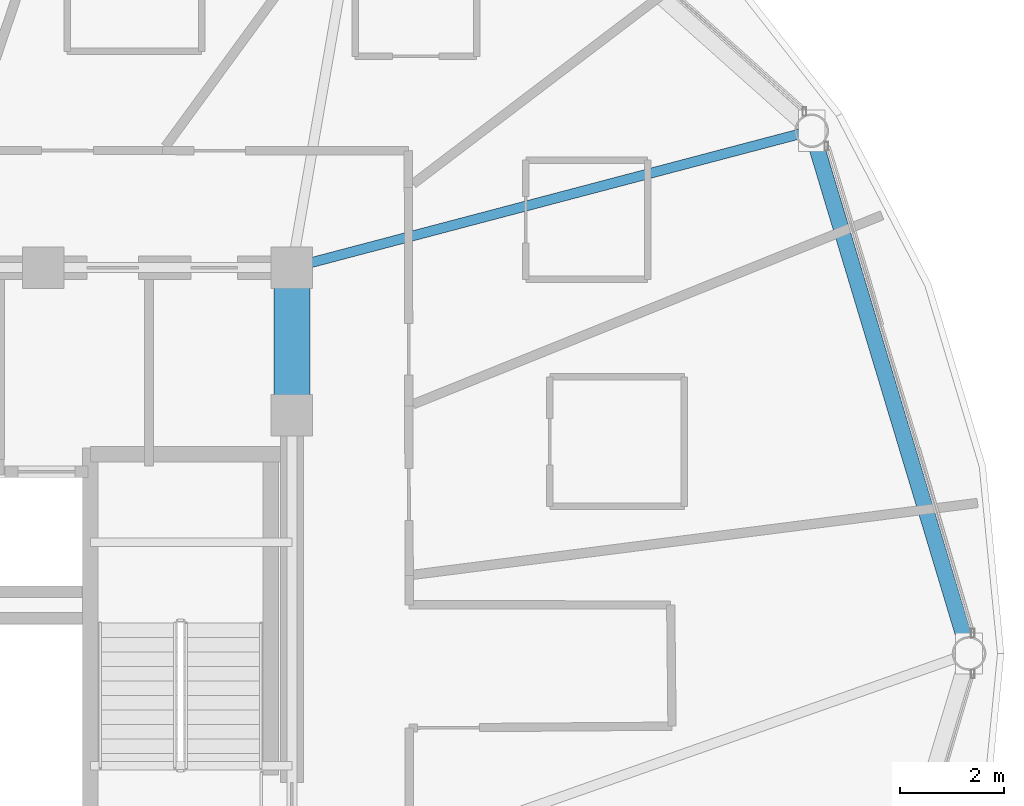
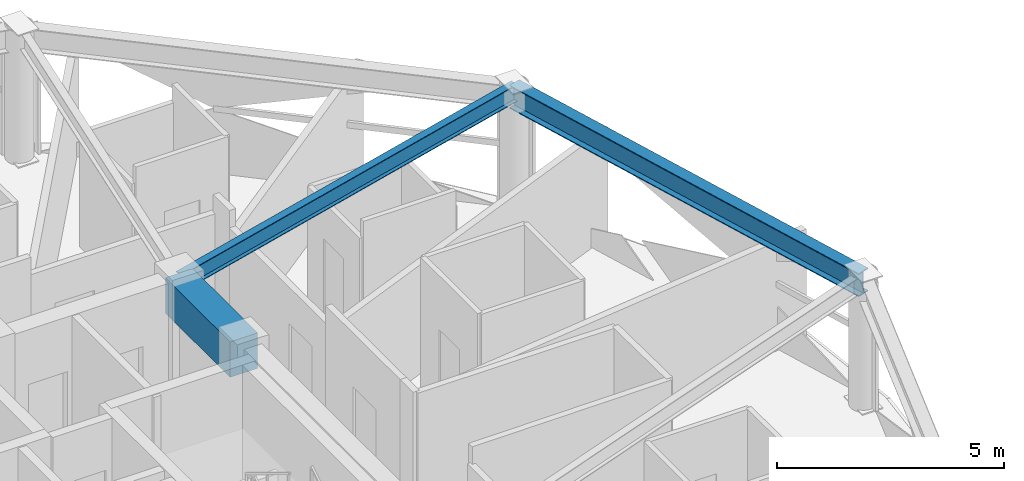
# One storey, part 15 of 30: 3 beams.
"""IFC4 building model written with IfcOpenShell, lengths in metres."""

from ifc_helpers import new_model, si_unit, direction, frame, origin, origin_2d, place, context, subcontext, project, spatial, rectangle, i_section, extrude, material, material_profile, profile_set, type_object, element, save


model = new_model("IFC4")

# Units and contexts
model_context = context("Model", 3, precision=1e-05, world=origin(), true_north=direction((0.0, 1.0)))
body_context = subcontext(model_context, "Body", "Model", "MODEL_VIEW")
ifc_project = project(units=[si_unit("LENGTHUNIT", "METRE"), si_unit("AREAUNIT", "SQUARE_METRE"), si_unit("VOLUMEUNIT", "CUBIC_METRE"), si_unit("PLANEANGLEUNIT", "RADIAN"), si_unit("MASSUNIT", "GRAM", prefix="KILO")], contexts=[model_context])

# Site, building, storey
site_placement = place(None, origin())
site = spatial("IfcSite", under=ifc_project, at=site_placement, CompositionType="ELEMENT")
building_placement = place(site_placement, origin())
building = spatial("IfcBuilding", under=site, at=building_placement, Name="Vantalir Tower", CompositionType="ELEMENT")
storey_placement = place(building_placement, frame((0.0, 0.0, 186.14990234375)))
storey = spatial("IfcBuildingStorey", under=building, at=storey_placement, Name="L46", CompositionType="ELEMENT", Elevation=186.14990234375)

# Beams
ifc_material_1 = material(Name="Concrete C60/75", Category="concrete")
ifc_material_profile_1 = material_profile(ifc_material_1, rectangle(XDim=0.699951171875, YDim=0.949951171875, at=origin_2d()), Name="Concrete C60/75")
ifc_profile_set_1 = profile_set([ifc_material_profile_1], Name="Concrete C60/75")
beam_type_1 = type_object("IfcBeamType", Name="BM-CB-700x950", PredefinedType="USERDEFINED", material=ifc_profile_set_1)
beam_1_placement = place(storey_placement, frame((41.10009765625, 29.60009765625, 3.09521484375), z_axis=(0.0, 1.0, 0.0), x_axis=(-1.0, 0.0, 0.0)))
element("IfcBeam", 1, at=beam_1_placement, inside=storey, type_object=beam_type_1, Name="L46 Core Coupling Girder 07", ObjectType="GIRDER", PredefinedType="USERDEFINED", context=body_context, shape_type="SweptSolid", body=[
    extrude(rectangle(XDim=0.699951171875, YDim=0.949951171875, at=origin_2d()), origin(), (0.0, 0.0, 1.0), 2.849853515625),
])
ifc_material_2 = material(Name="Steel S355", Category="steel")
ifc_material_profile_2 = material_profile(ifc_material_2, i_section(OverallWidth=0.19189453125, OverallDepth=0.462890625, WebThickness=0.010498046875, FlangeThickness=0.017578125, at=origin_2d()), Name="Steel S355")
ifc_profile_set_2 = profile_set([ifc_material_profile_2], Name="Steel S355")
beam_type_2 = type_object("IfcBeamType", Name="BM-RB-457x191", PredefinedType="BEAM", material=ifc_profile_set_2)
beam_2_placement = place(storey_placement, frame((51.137939453125, 35.093994140625, 3.338134765625), z_axis=(-0.967015102182, -0.254719045522, 0.0), x_axis=(0.254719045522, -0.967015102182, 0.0)))
element("IfcBeam", 2, at=beam_2_placement, inside=storey, type_object=beam_type_2, Name="L46 Radial Floor Beam 02", PredefinedType="BEAM", context=body_context, shape_type="SweptSolid", body=[
    extrude(i_section(OverallWidth=0.19189453125, OverallDepth=0.462890625, WebThickness=0.010498046875, FlangeThickness=0.017578125, at=origin_2d()), origin(), (0.0, 0.0, 1.0), 10.380126953125),
])
ifc_material_3 = material(Name="Steel S460", Category="steel")
ifc_material_profile_3 = material_profile(ifc_material_3, i_section(OverallWidth=0.306884765625, OverallDepth=0.6201171875, WebThickness=0.01416015625, FlangeThickness=0.023681640625, at=origin_2d()), Name="Steel S460")
ifc_profile_set_3 = profile_set([ifc_material_profile_3], Name="Steel S460")
beam_type_3 = type_object("IfcBeamType", Name="BM-RG-610x305", PredefinedType="USERDEFINED", material=ifc_profile_set_3)
beam_3_placement = place(storey_placement, frame((54.176025390625, 25.0, 3.260009765625), z_axis=(-0.288208317462, 0.957567734286, 0.0), x_axis=(-0.957567734286, -0.288208317462, 0.0)))
element("IfcBeam", 3, at=beam_3_placement, inside=storey, type_object=beam_type_3, Name="L46 Circumferential Ring Girder 01", ObjectType="GIRDER", PredefinedType="USERDEFINED", context=body_context, shape_type="SweptSolid", body=[
    extrude(i_section(OverallWidth=0.306884765625, OverallDepth=0.6201171875, WebThickness=0.01416015625, FlangeThickness=0.023681640625, at=origin_2d()), origin(), (0.0, 0.0, 1.0), 10.541259765625),
])

save(model, "model.ifc")
